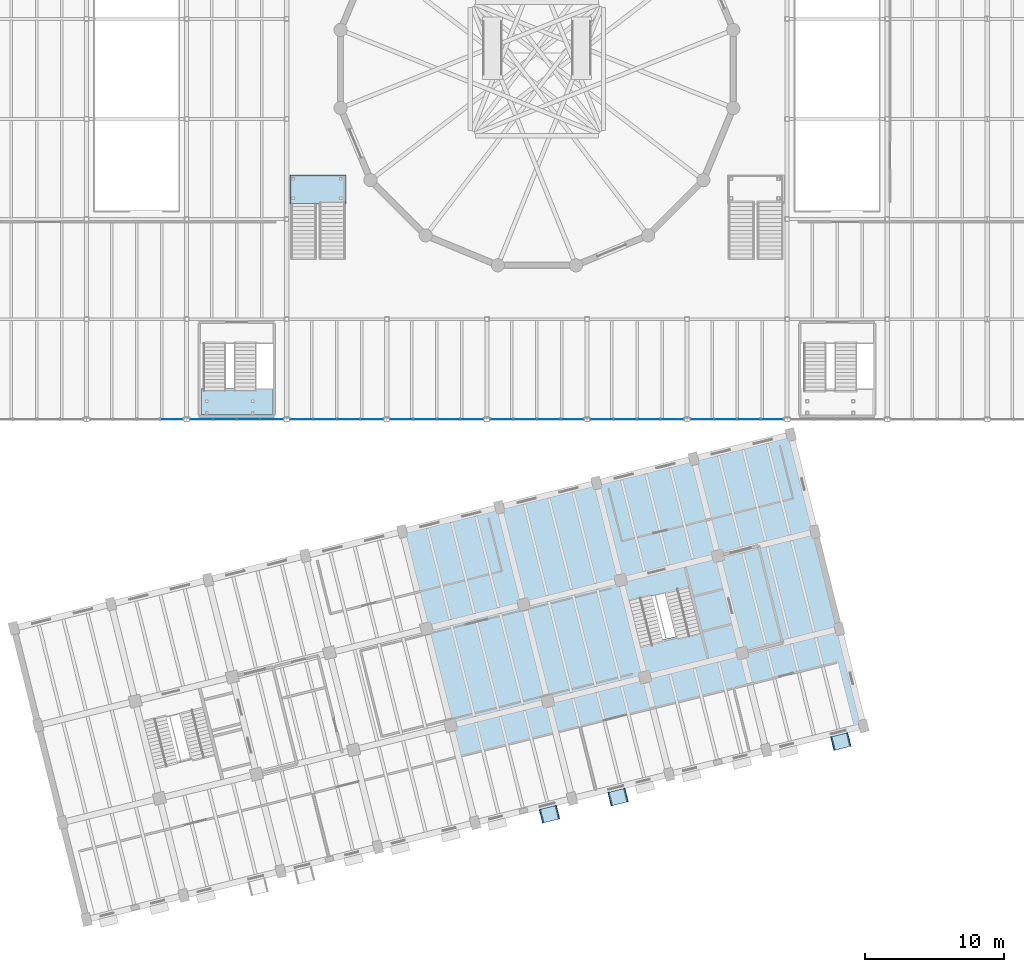
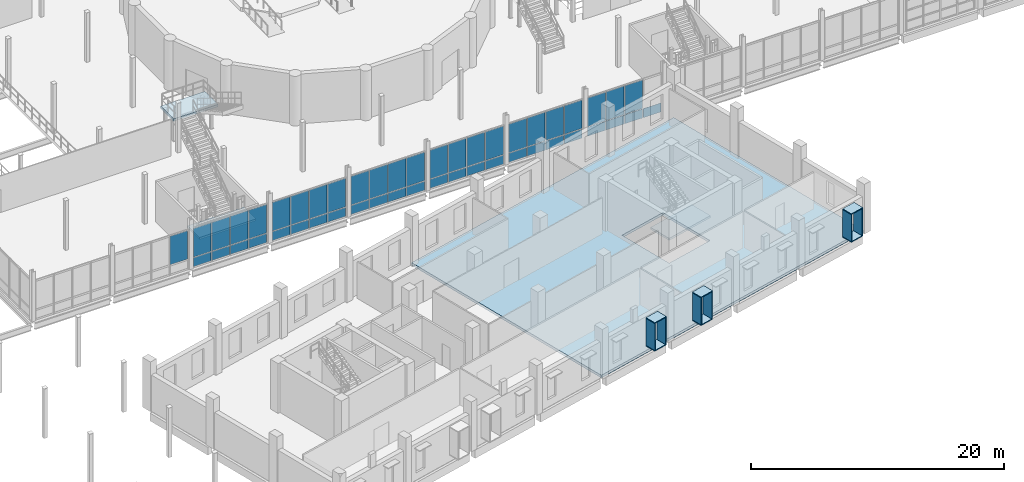
# One storey, part 49 of 77: 60 plates, 4 slabs, 10 elements without a shape of their own.
"""IFC4 building model written with IfcOpenShell, lengths in metres."""

import ifcopenshell
import ifcopenshell.guid

model = None  # the IFC model being written
_history = None  # IfcOwnerHistory: only IFC2X3 demands one
_inside = {}  # id of a spatial element -> (the spatial element, [elements in it])
_under = {}  # id of a project, library or spatial element -> (it, [spatial elements below it])
_declared = {}  # id of a project -> (the project, [libraries it declares])
_typed = {}  # id of a type object -> (the type object, [elements of that type])
_made_of = {}  # id of a material, layer set ... -> (it, [elements and type objects made of it])


def new_model(schema):
    """Start an empty IFC model of exactly this schema.

    Asked for "IFC4X3", IfcOpenShell would pick the latest addendum, in which some entities
    have other attributes; the version numbers below select the first issue.
    IFC2X3 requires an IfcOwnerHistory on every rooted entity: one is made here for all.
    """
    global model, _history
    if schema == "IFC4X3":
        model = ifcopenshell.file(schema_version=(4, 3, 0, 0))
    else:
        model = ifcopenshell.file(schema=schema)
    _inside.clear()
    _under.clear()
    _declared.clear()
    _typed.clear()
    _made_of.clear()
    _history = None
    if model.schema == "IFC2X3":
        org = make("IfcOrganization", Name="unknown")
        user = make(
            "IfcPersonAndOrganization",
            ThePerson=make("IfcPerson", FamilyName="unknown"),
            TheOrganization=org,
        )
        app = make(
            "IfcApplication",
            ApplicationDeveloper=org,
            Version="unknown",
            ApplicationFullName="unknown",
            ApplicationIdentifier="unknown",
        )
        _history = make(
            "IfcOwnerHistory",
            OwningUser=user,
            OwningApplication=app,
            ChangeAction="ADDED",
            CreationDate=0,
        )
    return model


def make(cls, **values):
    """One entity of the class cls with the attributes given. An attribute that is None is left unset."""
    return model.create_entity(
        cls, **{name: value for name, value in values.items() if value is not None}
    )


def rooted(cls, **values):
    """An entity with a GlobalId (a new one), such as an element, a storey or a relation."""
    return make(cls, GlobalId=ifcopenshell.guid.new(), OwnerHistory=_history, **values)


def si_unit(unit_type, name, prefix=None):
    """IfcSIUnit, for example si_unit("LENGTHUNIT", "METRE", prefix="MILLI")."""
    return make("IfcSIUnit", UnitType=unit_type, Prefix=prefix, Name=name)


def assignment(units):
    """IfcUnitAssignment: the units of a project."""
    return None if units is None else make("IfcUnitAssignment", Units=units)


def point(xyz):
    """IfcCartesianPoint."""
    return None if xyz is None else make("IfcCartesianPoint", Coordinates=xyz)


def direction(xyz):
    """IfcDirection."""
    return None if xyz is None else make("IfcDirection", DirectionRatios=xyz)


def frame(location, z_axis=None, x_axis=None):
    """IfcAxis2Placement3D, a coordinate frame: its origin and axes. An axis left out is left unset."""
    return make(
        "IfcAxis2Placement3D",
        Location=point(location),
        Axis=direction(z_axis),
        RefDirection=direction(x_axis),
    )


def frame_2d(location, x_axis=None):
    """IfcAxis2Placement2D, a coordinate frame in the plane: its origin and x axis."""
    return make(
        "IfcAxis2Placement2D", Location=point(location), RefDirection=direction(x_axis)
    )


def origin():
    """The frame at (0, 0, 0) with its axes left unset."""
    return frame((0.0, 0.0, 0.0))


def origin_2d():
    """The frame at (0, 0) in the plane with its x axis left unset."""
    return frame_2d((0.0, 0.0))


def place(relative_to, where):
    """IfcLocalPlacement: puts the frame where relative to a parent placement (None: the world)."""
    return make(
        "IfcLocalPlacement", PlacementRelTo=relative_to, RelativePlacement=where
    )


def context(
    kind, dimensions, precision=None, world=None, true_north=None, identifier=None
):
    """IfcGeometricRepresentationContext, for example the 3D "Model" context."""
    return make(
        "IfcGeometricRepresentationContext",
        ContextIdentifier=identifier,
        ContextType=kind,
        CoordinateSpaceDimension=dimensions,
        Precision=precision,
        WorldCoordinateSystem=world,
        TrueNorth=true_north,
    )


def subcontext(parent, identifier, kind, view, scale=None):
    """IfcGeometricRepresentationSubContext, for example "Body" below "Model"."""
    return make(
        "IfcGeometricRepresentationSubContext",
        ContextIdentifier=identifier,
        ContextType=kind,
        ParentContext=parent,
        TargetScale=scale,
        TargetView=view,
    )


def project(units=None, contexts=None):
    """IfcProject with its units and contexts."""
    return rooted(
        "IfcProject",
        Name="project",
        RepresentationContexts=contexts,
        UnitsInContext=assignment(units),
    )


def spatial(cls, under=None, at=None, **own):
    """A site, building, storey or space (cls), placed at a placement, below another one or the project."""
    s = rooted(cls, ObjectPlacement=at, **own)
    if under is not None:
        _under.setdefault(under.id(), (under, []))[1].append(s)
    return s


def polyline(points):
    """IfcPolyline through the points."""
    return make("IfcPolyline", Points=[point(p) for p in points])


def profile(cls, at=None, kind="AREA", **sizes):
    """A parametric profile (cls). Its sizes go by their IFC names, for example OverallWidth=200.0."""
    return make(cls, ProfileType=kind, Position=at, **sizes)


def rectangle(**sizes):
    """IfcRectangleProfileDef."""
    return profile("IfcRectangleProfileDef", **sizes)


def outline(outer, holes=None, kind="AREA"):
    """IfcArbitraryClosedProfileDef: a profile drawn as a closed curve; with holes, ...WithVoids."""
    if holes is None:
        return make("IfcArbitraryClosedProfileDef", ProfileType=kind, OuterCurve=outer)
    return make(
        "IfcArbitraryProfileDefWithVoids",
        ProfileType=kind,
        OuterCurve=outer,
        InnerCurves=holes,
    )


def extrude(swept, where, along, depth):
    """IfcExtrudedAreaSolid: the profile swept, set in the frame where, extruded along a direction by depth."""
    return make(
        "IfcExtrudedAreaSolid",
        SweptArea=swept,
        Position=where,
        ExtrudedDirection=direction(along),
        Depth=depth,
    )


def shape(context_of_items, identifier, shape_type, items):
    """IfcShapeRepresentation: the items that make up one representation, for example the "Body"."""
    return make(
        "IfcShapeRepresentation",
        ContextOfItems=context_of_items,
        RepresentationIdentifier=identifier,
        RepresentationType=shape_type,
        Items=items,
    )


def material(Name=None, Category=None):
    """IfcMaterial."""
    return make("IfcMaterial", Name=Name, Category=Category)


def layer(
    of_material, thickness, ventilated=None, Name=None, Category=None, Priority=None
):
    """IfcMaterialLayer: one layer of a wall or slab, of a material (None: an air gap)."""
    return make(
        "IfcMaterialLayer",
        Material=of_material,
        LayerThickness=thickness,
        IsVentilated=ventilated,
        Name=Name,
        Category=Category,
        Priority=Priority,
    )


def layer_set(layers, Name=None):
    """IfcMaterialLayerSet."""
    return make("IfcMaterialLayerSet", MaterialLayers=layers, LayerSetName=Name)


def made_of(thing, what):
    """Note that an element or type object is made of a material, layer set ...; save() writes the relation."""
    if what is not None:
        _made_of.setdefault(what.id(), (what, []))[1].append(thing)
    return thing


def type_object(cls, material=None, **own):
    """A type object (cls), such as IfcWallType, which elements share."""
    return made_of(rooted(cls, **own), material)


def element(
    cls,
    number,
    at=None,
    inside=None,
    cuts=None,
    type_object=None,
    material=None,
    context=None,
    identifier="Body",
    shape_type=None,
    held_by="IfcProductDefinitionShape",
    body=None,
    shapes=None,
    **own,
):
    """One element of the class cls, such as IfcWall. Its Tag is "e" and its number.

    at: its placement. inside: the storey or other place that contains it. cuts: it is an
    opening in that element (IfcRelVoidsElement). A single representation is given by context,
    identifier, shape_type and body (its items); several are given by shapes. held_by: the class
    of the entity that holds the representations. save() writes the other relations.
    """
    e = rooted(cls, Tag="e%d" % number, ObjectPlacement=at, **own)
    if body is not None:
        shapes = [shape(context, identifier, shape_type, body)]
    if shapes is not None:
        e.Representation = make(held_by, Representations=shapes)
    if inside is not None:
        _inside.setdefault(inside.id(), (inside, []))[1].append(e)
    if cuts is not None:
        rooted(
            "IfcRelVoidsElement", RelatingBuildingElement=cuts, RelatedOpeningElement=e
        )
    if type_object is not None:
        _typed.setdefault(type_object.id(), (type_object, []))[1].append(e)
    return made_of(e, material)


def aggregate(whole, parts):
    """IfcRelAggregates: a whole, such as a stair, and the parts it consists of."""
    return rooted("IfcRelAggregates", RelatingObject=whole, RelatedObjects=parts)


def save(model, path):
    """Write the relations noted so far, then the file.

    IfcRelAggregates (storeys below a building ...), IfcRelContainedInSpatialStructure (elements
    in a storey), IfcRelDefinesByType, IfcRelAssociatesMaterial and IfcRelDeclares: one each for
    every whole, place, type object, material and project.
    """
    for whole, parts in _under.values():
        aggregate(whole, parts)
    for where, things in _inside.values():
        rooted(
            "IfcRelContainedInSpatialStructure",
            RelatedElements=things,
            RelatingStructure=where,
        )
    for kind, things in _typed.values():
        rooted("IfcRelDefinesByType", RelatedObjects=things, RelatingType=kind)
    for what, things in _made_of.values():
        rooted("IfcRelAssociatesMaterial", RelatedObjects=things, RelatingMaterial=what)
    for by, libraries in _declared.values():
        rooted("IfcRelDeclares", RelatingContext=by, RelatedDefinitions=libraries)
    model.write(path)


model = new_model("IFC4")

# Units and contexts
model_context = context("Model", 3, precision=1e-05, world=origin(), true_north=direction((0.0, 1.0)))
body_context = subcontext(model_context, "Body", "Model", "MODEL_VIEW")
ifc_project = project(units=[si_unit("LENGTHUNIT", "METRE"), si_unit("AREAUNIT", "SQUARE_METRE"), si_unit("VOLUMEUNIT", "CUBIC_METRE"), si_unit("PLANEANGLEUNIT", "RADIAN"), si_unit("MASSUNIT", "GRAM", prefix="KILO")], contexts=[model_context])

# Site, building, storey
site_placement = place(None, origin())
site = spatial("IfcSite", under=ifc_project, at=site_placement, CompositionType="ELEMENT")
building_placement = place(site_placement, origin())
building = spatial("IfcBuilding", under=site, at=building_placement, Name="Qiaolan Assembly House", CompositionType="ELEMENT")
storey_placement = place(building_placement, frame((0.0, 0.0, 5.39990234375)))
storey = spatial("IfcBuildingStorey", under=building, at=storey_placement, Name="L01", CompositionType="ELEMENT", Elevation=5.39990234375)

# Curtain wall, plate
ifc_material_1 = material(Name="Anodised bronze aluminium", Category="aluminium")
curtain_wall_type = type_object("IfcCurtainWallType", Name="CW-HALL-UPPER-480", PredefinedType="NOTDEFINED", material=ifc_material_1)
curtain_wall_1_placement = place(storey_placement, origin())
curtain_wall_1 = element("IfcCurtainWall", 1, at=curtain_wall_1_placement, inside=storey, type_object=curtain_wall_type, Name="CW-01 Hall South plaza curtain wall L01-2", PredefinedType="NOTDEFINED")
ifc_material_2 = material(Name="Low-E double insulating glass", Category="glass")
ifc_layer_1 = layer(ifc_material_2, 0.031982421875)
ifc_layer_set_1 = layer_set([ifc_layer_1], Name="Low-E double insulating glass")
plate_type_1 = type_object("IfcPlateType", Name="CW-HALL-UPPER-480-PNL", PredefinedType="CURTAIN_PANEL", material=ifc_layer_set_1)
plate_1_placement = place(storey_placement, frame((41.324951171875, 36.0, 0.97998046875), z_axis=(0.0, 0.0, 1.0), x_axis=(1.0, 0.0, 0.0)))
plate_1 = element("IfcPlate", 2, at=plate_1_placement, type_object=plate_type_1, Name="GL-02 glazing panel CW-HALL-S-L01-01-8", PredefinedType="CURTAIN_PANEL", context=body_context, shape_type="SweptSolid", body=[
    extrude(rectangle(XDim=1.6201171875, YDim=0.031982421875, at=frame_2d((0.81005859375, 0.0))), origin(), (0.0, 0.0, 1.0), 2.760009765625),
])
aggregate(curtain_wall_1, [plate_1])

# Curtain wall, plates
curtain_wall_2_placement = place(storey_placement, origin())
curtain_wall_2 = element("IfcCurtainWall", 3, at=curtain_wall_2_placement, inside=storey, type_object=curtain_wall_type, Name="CW-01 Hall South plaza curtain wall L01-3", PredefinedType="NOTDEFINED")
plate_2_placement = place(storey_placement, frame((43.455078125, 36.0, 0.06005859375), z_axis=(0.0, 0.0, 1.0), x_axis=(1.0, 0.0, 0.0)))
plate_2 = element("IfcPlate", 4, at=plate_2_placement, type_object=plate_type_1, Name="GL-02 glazing panel CW-HALL-S-L01-02-1", PredefinedType="CURTAIN_PANEL", context=body_context, shape_type="SweptSolid", body=[
    extrude(rectangle(XDim=1.619873046875, YDim=0.031982421875, at=frame_2d((0.81005859375, 0.0))), origin(), (0.0, 0.0, 1.0), 0.860107421875),
])
plate_3_placement = place(storey_placement, frame((43.455078125, 36.0, 0.97998046875), z_axis=(0.0, 0.0, 1.0), x_axis=(1.0, 0.0, 0.0)))
plate_3 = element("IfcPlate", 5, at=plate_3_placement, type_object=plate_type_1, Name="GL-02 glazing panel CW-HALL-S-L01-02-2", PredefinedType="CURTAIN_PANEL", context=body_context, shape_type="SweptSolid", body=[
    extrude(rectangle(XDim=1.619873046875, YDim=0.031982421875, at=frame_2d((0.81005859375, 0.0))), origin(), (0.0, 0.0, 1.0), 2.760009765625),
])
plate_4_placement = place(storey_placement, frame((45.14501953125, 36.0, 0.06005859375), z_axis=(0.0, 0.0, 1.0), x_axis=(1.0, 0.0, 0.0)))
plate_4 = element("IfcPlate", 6, at=plate_4_placement, type_object=plate_type_1, Name="GL-02 glazing panel CW-HALL-S-L01-02-3", PredefinedType="CURTAIN_PANEL", context=body_context, shape_type="SweptSolid", body=[
    extrude(rectangle(XDim=1.619873046875, YDim=0.031982421875, at=frame_2d((0.81005859375, 0.0))), origin(), (0.0, 0.0, 1.0), 0.860107421875),
])
plate_5_placement = place(storey_placement, frame((45.14501953125, 36.0, 0.97998046875), z_axis=(0.0, 0.0, 1.0), x_axis=(1.0, 0.0, 0.0)))
plate_5 = element("IfcPlate", 7, at=plate_5_placement, type_object=plate_type_1, Name="GL-02 glazing panel CW-HALL-S-L01-02-4", PredefinedType="CURTAIN_PANEL", context=body_context, shape_type="SweptSolid", body=[
    extrude(rectangle(XDim=1.619873046875, YDim=0.031982421875, at=frame_2d((0.81005859375, 0.0))), origin(), (0.0, 0.0, 1.0), 2.760009765625),
])
plate_6_placement = place(storey_placement, frame((46.8349609375, 36.0, 0.06005859375), z_axis=(0.0, 0.0, 1.0), x_axis=(1.0, 0.0, 0.0)))
plate_6 = element("IfcPlate", 8, at=plate_6_placement, type_object=plate_type_1, Name="GL-02 glazing panel CW-HALL-S-L01-02-5", PredefinedType="CURTAIN_PANEL", context=body_context, shape_type="SweptSolid", body=[
    extrude(rectangle(XDim=1.6201171875, YDim=0.031982421875, at=frame_2d((0.81005859375, 0.0))), origin(), (0.0, 0.0, 1.0), 0.860107421875),
])
plate_7_placement = place(storey_placement, frame((46.8349609375, 36.0, 0.97998046875), z_axis=(0.0, 0.0, 1.0), x_axis=(1.0, 0.0, 0.0)))
plate_7 = element("IfcPlate", 9, at=plate_7_placement, type_object=plate_type_1, Name="GL-02 glazing panel CW-HALL-S-L01-02-6", PredefinedType="CURTAIN_PANEL", context=body_context, shape_type="SweptSolid", body=[
    extrude(rectangle(XDim=1.6201171875, YDim=0.031982421875, at=frame_2d((0.81005859375, 0.0))), origin(), (0.0, 0.0, 1.0), 2.760009765625),
])
plate_8_placement = place(storey_placement, frame((48.52490234375, 36.0, 0.06005859375), z_axis=(0.0, 0.0, 1.0), x_axis=(1.0, 0.0, 0.0)))
plate_8 = element("IfcPlate", 10, at=plate_8_placement, type_object=plate_type_1, Name="GL-02 glazing panel CW-HALL-S-L01-02-7", PredefinedType="CURTAIN_PANEL", context=body_context, shape_type="SweptSolid", body=[
    extrude(rectangle(XDim=1.6201171875, YDim=0.031982421875, at=frame_2d((0.81005859375, 0.0))), origin(), (0.0, 0.0, 1.0), 0.860107421875),
])
plate_9_placement = place(storey_placement, frame((48.52490234375, 36.0, 0.97998046875), z_axis=(0.0, 0.0, 1.0), x_axis=(1.0, 0.0, 0.0)))
plate_9 = element("IfcPlate", 11, at=plate_9_placement, type_object=plate_type_1, Name="GL-02 glazing panel CW-HALL-S-L01-02-8", PredefinedType="CURTAIN_PANEL", context=body_context, shape_type="SweptSolid", body=[
    extrude(rectangle(XDim=1.6201171875, YDim=0.031982421875, at=frame_2d((0.81005859375, 0.0))), origin(), (0.0, 0.0, 1.0), 2.760009765625),
])
aggregate(curtain_wall_2, [plate_2, plate_3, plate_4, plate_5, plate_6, plate_7, plate_8, plate_9])

curtain_wall_3_placement = place(storey_placement, origin())
curtain_wall_3 = element("IfcCurtainWall", 12, at=curtain_wall_3_placement, inside=storey, type_object=curtain_wall_type, Name="CW-01 Hall South plaza curtain wall L01-4", PredefinedType="NOTDEFINED")
plate_10_placement = place(storey_placement, frame((50.655029296875, 36.0, 0.06005859375), z_axis=(0.0, 0.0, 1.0), x_axis=(1.0, 0.0, 0.0)))
plate_10 = element("IfcPlate", 13, at=plate_10_placement, type_object=plate_type_1, Name="GL-02 glazing panel CW-HALL-S-L01-03-1", PredefinedType="CURTAIN_PANEL", context=body_context, shape_type="SweptSolid", body=[
    extrude(rectangle(XDim=1.619873046875, YDim=0.031982421875, at=frame_2d((0.81005859375, 0.0))), origin(), (0.0, 0.0, 1.0), 0.860107421875),
])
plate_11_placement = place(storey_placement, frame((50.655029296875, 36.0, 0.97998046875), z_axis=(0.0, 0.0, 1.0), x_axis=(1.0, 0.0, 0.0)))
plate_11 = element("IfcPlate", 14, at=plate_11_placement, type_object=plate_type_1, Name="GL-02 glazing panel CW-HALL-S-L01-03-2", PredefinedType="CURTAIN_PANEL", context=body_context, shape_type="SweptSolid", body=[
    extrude(rectangle(XDim=1.619873046875, YDim=0.031982421875, at=frame_2d((0.81005859375, 0.0))), origin(), (0.0, 0.0, 1.0), 2.760009765625),
])
plate_12_placement = place(storey_placement, frame((52.344970703125, 36.0, 0.06005859375), z_axis=(0.0, 0.0, 1.0), x_axis=(1.0, 0.0, 0.0)))
plate_12 = element("IfcPlate", 15, at=plate_12_placement, type_object=plate_type_1, Name="GL-02 glazing panel CW-HALL-S-L01-03-3", PredefinedType="CURTAIN_PANEL", context=body_context, shape_type="SweptSolid", body=[
    extrude(rectangle(XDim=1.6201171875, YDim=0.031982421875, at=frame_2d((0.81005859375, 0.0))), origin(), (0.0, 0.0, 1.0), 0.860107421875),
])
plate_13_placement = place(storey_placement, frame((52.344970703125, 36.0, 0.97998046875), z_axis=(0.0, 0.0, 1.0), x_axis=(1.0, 0.0, 0.0)))
plate_13 = element("IfcPlate", 16, at=plate_13_placement, type_object=plate_type_1, Name="GL-02 glazing panel CW-HALL-S-L01-03-4", PredefinedType="CURTAIN_PANEL", context=body_context, shape_type="SweptSolid", body=[
    extrude(rectangle(XDim=1.6201171875, YDim=0.031982421875, at=frame_2d((0.81005859375, 0.0))), origin(), (0.0, 0.0, 1.0), 2.760009765625),
])
plate_14_placement = place(storey_placement, frame((54.034912109375, 36.0, 0.06005859375), z_axis=(0.0, 0.0, 1.0), x_axis=(1.0, 0.0, 0.0)))
plate_14 = element("IfcPlate", 17, at=plate_14_placement, type_object=plate_type_1, Name="GL-02 glazing panel CW-HALL-S-L01-03-5", PredefinedType="CURTAIN_PANEL", context=body_context, shape_type="SweptSolid", body=[
    extrude(rectangle(XDim=1.6201171875, YDim=0.031982421875, at=frame_2d((0.81005859375, 0.0))), origin(), (0.0, 0.0, 1.0), 0.860107421875),
])
plate_15_placement = place(storey_placement, frame((54.034912109375, 36.0, 0.97998046875), z_axis=(0.0, 0.0, 1.0), x_axis=(1.0, 0.0, 0.0)))
plate_15 = element("IfcPlate", 18, at=plate_15_placement, type_object=plate_type_1, Name="GL-02 glazing panel CW-HALL-S-L01-03-6", PredefinedType="CURTAIN_PANEL", context=body_context, shape_type="SweptSolid", body=[
    extrude(rectangle(XDim=1.6201171875, YDim=0.031982421875, at=frame_2d((0.81005859375, 0.0))), origin(), (0.0, 0.0, 1.0), 2.760009765625),
])
plate_16_placement = place(storey_placement, frame((55.72509765625, 36.0, 0.06005859375), z_axis=(0.0, 0.0, 1.0), x_axis=(1.0, 0.0, 0.0)))
plate_16 = element("IfcPlate", 19, at=plate_16_placement, type_object=plate_type_1, Name="GL-02 glazing panel CW-HALL-S-L01-03-7", PredefinedType="CURTAIN_PANEL", context=body_context, shape_type="SweptSolid", body=[
    extrude(rectangle(XDim=1.619873046875, YDim=0.031982421875, at=frame_2d((0.81005859375, 0.0))), origin(), (0.0, 0.0, 1.0), 0.860107421875),
])
plate_17_placement = place(storey_placement, frame((55.72509765625, 36.0, 0.97998046875), z_axis=(0.0, 0.0, 1.0), x_axis=(1.0, 0.0, 0.0)))
plate_17 = element("IfcPlate", 20, at=plate_17_placement, type_object=plate_type_1, Name="GL-02 glazing panel CW-HALL-S-L01-03-8", PredefinedType="CURTAIN_PANEL", context=body_context, shape_type="SweptSolid", body=[
    extrude(rectangle(XDim=1.619873046875, YDim=0.031982421875, at=frame_2d((0.81005859375, 0.0))), origin(), (0.0, 0.0, 1.0), 2.760009765625),
])
aggregate(curtain_wall_3, [plate_10, plate_11, plate_12, plate_13, plate_14, plate_15, plate_16, plate_17])

curtain_wall_4_placement = place(storey_placement, origin())
curtain_wall_4 = element("IfcCurtainWall", 21, at=curtain_wall_4_placement, inside=storey, type_object=curtain_wall_type, Name="CW-01 Hall South plaza curtain wall L01-5", PredefinedType="NOTDEFINED")
plate_18_placement = place(storey_placement, frame((57.85498046875, 36.0, 0.06005859375), z_axis=(0.0, 0.0, 1.0), x_axis=(1.0, 0.0, 0.0)))
plate_18 = element("IfcPlate", 22, at=plate_18_placement, type_object=plate_type_1, Name="GL-02 glazing panel CW-HALL-S-L01-04-1", PredefinedType="CURTAIN_PANEL", context=body_context, shape_type="SweptSolid", body=[
    extrude(rectangle(XDim=1.6201171875, YDim=0.031982421875, at=frame_2d((0.81005859375, 0.0))), origin(), (0.0, 0.0, 1.0), 0.860107421875),
])
plate_19_placement = place(storey_placement, frame((57.85498046875, 36.0, 0.97998046875), z_axis=(0.0, 0.0, 1.0), x_axis=(1.0, 0.0, 0.0)))
plate_19 = element("IfcPlate", 23, at=plate_19_placement, type_object=plate_type_1, Name="GL-02 glazing panel CW-HALL-S-L01-04-2", PredefinedType="CURTAIN_PANEL", context=body_context, shape_type="SweptSolid", body=[
    extrude(rectangle(XDim=1.6201171875, YDim=0.031982421875, at=frame_2d((0.81005859375, 0.0))), origin(), (0.0, 0.0, 1.0), 2.760009765625),
])
plate_20_placement = place(storey_placement, frame((59.544921875, 36.0, 0.06005859375), z_axis=(0.0, 0.0, 1.0), x_axis=(1.0, 0.0, 0.0)))
plate_20 = element("IfcPlate", 24, at=plate_20_placement, type_object=plate_type_1, Name="GL-02 glazing panel CW-HALL-S-L01-04-3", PredefinedType="CURTAIN_PANEL", context=body_context, shape_type="SweptSolid", body=[
    extrude(rectangle(XDim=1.6201171875, YDim=0.031982421875, at=frame_2d((0.81005859375, 0.0))), origin(), (0.0, 0.0, 1.0), 0.860107421875),
])
plate_21_placement = place(storey_placement, frame((59.544921875, 36.0, 0.97998046875), z_axis=(0.0, 0.0, 1.0), x_axis=(1.0, 0.0, 0.0)))
plate_21 = element("IfcPlate", 25, at=plate_21_placement, type_object=plate_type_1, Name="GL-02 glazing panel CW-HALL-S-L01-04-4", PredefinedType="CURTAIN_PANEL", context=body_context, shape_type="SweptSolid", body=[
    extrude(rectangle(XDim=1.6201171875, YDim=0.031982421875, at=frame_2d((0.81005859375, 0.0))), origin(), (0.0, 0.0, 1.0), 2.760009765625),
])
plate_22_placement = place(storey_placement, frame((61.235107421875, 36.0, 0.06005859375), z_axis=(0.0, 0.0, 1.0), x_axis=(1.0, 0.0, 0.0)))
plate_22 = element("IfcPlate", 26, at=plate_22_placement, type_object=plate_type_1, Name="GL-02 glazing panel CW-HALL-S-L01-04-5", PredefinedType="CURTAIN_PANEL", context=body_context, shape_type="SweptSolid", body=[
    extrude(rectangle(XDim=1.619873046875, YDim=0.031982421875, at=frame_2d((0.81005859375, 0.0))), origin(), (0.0, 0.0, 1.0), 0.860107421875),
])
plate_23_placement = place(storey_placement, frame((61.235107421875, 36.0, 0.97998046875), z_axis=(0.0, 0.0, 1.0), x_axis=(1.0, 0.0, 0.0)))
plate_23 = element("IfcPlate", 27, at=plate_23_placement, type_object=plate_type_1, Name="GL-02 glazing panel CW-HALL-S-L01-04-6", PredefinedType="CURTAIN_PANEL", context=body_context, shape_type="SweptSolid", body=[
    extrude(rectangle(XDim=1.619873046875, YDim=0.031982421875, at=frame_2d((0.81005859375, 0.0))), origin(), (0.0, 0.0, 1.0), 2.760009765625),
])
plate_24_placement = place(storey_placement, frame((62.925048828125, 36.0, 0.06005859375), z_axis=(0.0, 0.0, 1.0), x_axis=(1.0, 0.0, 0.0)))
plate_24 = element("IfcPlate", 28, at=plate_24_placement, type_object=plate_type_1, Name="GL-02 glazing panel CW-HALL-S-L01-04-7", PredefinedType="CURTAIN_PANEL", context=body_context, shape_type="SweptSolid", body=[
    extrude(rectangle(XDim=1.619873046875, YDim=0.031982421875, at=frame_2d((0.81005859375, 0.0))), origin(), (0.0, 0.0, 1.0), 0.860107421875),
])
plate_25_placement = place(storey_placement, frame((62.925048828125, 36.0, 0.97998046875), z_axis=(0.0, 0.0, 1.0), x_axis=(1.0, 0.0, 0.0)))
plate_25 = element("IfcPlate", 29, at=plate_25_placement, type_object=plate_type_1, Name="GL-02 glazing panel CW-HALL-S-L01-04-8", PredefinedType="CURTAIN_PANEL", context=body_context, shape_type="SweptSolid", body=[
    extrude(rectangle(XDim=1.619873046875, YDim=0.031982421875, at=frame_2d((0.81005859375, 0.0))), origin(), (0.0, 0.0, 1.0), 2.760009765625),
])
aggregate(curtain_wall_4, [plate_18, plate_19, plate_20, plate_21, plate_22, plate_23, plate_24, plate_25])

curtain_wall_5_placement = place(storey_placement, origin())
curtain_wall_5 = element("IfcCurtainWall", 30, at=curtain_wall_5_placement, inside=storey, type_object=curtain_wall_type, Name="CW-01 Hall South plaza curtain wall L01-6", PredefinedType="NOTDEFINED")
plate_26_placement = place(storey_placement, frame((65.054931640625, 36.0, 0.06005859375), z_axis=(0.0, 0.0, 1.0), x_axis=(1.0, 0.0, 0.0)))
plate_26 = element("IfcPlate", 31, at=plate_26_placement, type_object=plate_type_1, Name="GL-02 glazing panel CW-HALL-S-L01-05-1", PredefinedType="CURTAIN_PANEL", context=body_context, shape_type="SweptSolid", body=[
    extrude(rectangle(XDim=1.6201171875, YDim=0.031982421875, at=frame_2d((0.81005859375, 0.0))), origin(), (0.0, 0.0, 1.0), 0.860107421875),
])
plate_27_placement = place(storey_placement, frame((65.054931640625, 36.0, 0.97998046875), z_axis=(0.0, 0.0, 1.0), x_axis=(1.0, 0.0, 0.0)))
plate_27 = element("IfcPlate", 32, at=plate_27_placement, type_object=plate_type_1, Name="GL-02 glazing panel CW-HALL-S-L01-05-2", PredefinedType="CURTAIN_PANEL", context=body_context, shape_type="SweptSolid", body=[
    extrude(rectangle(XDim=1.6201171875, YDim=0.031982421875, at=frame_2d((0.81005859375, 0.0))), origin(), (0.0, 0.0, 1.0), 2.760009765625),
])
plate_28_placement = place(storey_placement, frame((66.7451171875, 36.0, 0.06005859375), z_axis=(0.0, 0.0, 1.0), x_axis=(1.0, 0.0, 0.0)))
plate_28 = element("IfcPlate", 33, at=plate_28_placement, type_object=plate_type_1, Name="GL-02 glazing panel CW-HALL-S-L01-05-3", PredefinedType="CURTAIN_PANEL", context=body_context, shape_type="SweptSolid", body=[
    extrude(rectangle(XDim=1.619873046875, YDim=0.031982421875, at=frame_2d((0.81005859375, 0.0))), origin(), (0.0, 0.0, 1.0), 0.860107421875),
])
plate_29_placement = place(storey_placement, frame((66.7451171875, 36.0, 0.97998046875), z_axis=(0.0, 0.0, 1.0), x_axis=(1.0, 0.0, 0.0)))
plate_29 = element("IfcPlate", 34, at=plate_29_placement, type_object=plate_type_1, Name="GL-02 glazing panel CW-HALL-S-L01-05-4", PredefinedType="CURTAIN_PANEL", context=body_context, shape_type="SweptSolid", body=[
    extrude(rectangle(XDim=1.619873046875, YDim=0.031982421875, at=frame_2d((0.81005859375, 0.0))), origin(), (0.0, 0.0, 1.0), 2.760009765625),
])
plate_30_placement = place(storey_placement, frame((68.43505859375, 36.0, 0.06005859375), z_axis=(0.0, 0.0, 1.0), x_axis=(1.0, 0.0, 0.0)))
plate_30 = element("IfcPlate", 35, at=plate_30_placement, type_object=plate_type_1, Name="GL-02 glazing panel CW-HALL-S-L01-05-5", PredefinedType="CURTAIN_PANEL", context=body_context, shape_type="SweptSolid", body=[
    extrude(rectangle(XDim=1.619873046875, YDim=0.031982421875, at=frame_2d((0.81005859375, 0.0))), origin(), (0.0, 0.0, 1.0), 0.860107421875),
])
plate_31_placement = place(storey_placement, frame((68.43505859375, 36.0, 0.97998046875), z_axis=(0.0, 0.0, 1.0), x_axis=(1.0, 0.0, 0.0)))
plate_31 = element("IfcPlate", 36, at=plate_31_placement, type_object=plate_type_1, Name="GL-02 glazing panel CW-HALL-S-L01-05-6", PredefinedType="CURTAIN_PANEL", context=body_context, shape_type="SweptSolid", body=[
    extrude(rectangle(XDim=1.619873046875, YDim=0.031982421875, at=frame_2d((0.81005859375, 0.0))), origin(), (0.0, 0.0, 1.0), 2.760009765625),
])
plate_32_placement = place(storey_placement, frame((70.125, 36.0, 0.06005859375), z_axis=(0.0, 0.0, 1.0), x_axis=(1.0, 0.0, 0.0)))
plate_32 = element("IfcPlate", 37, at=plate_32_placement, type_object=plate_type_1, Name="GL-02 glazing panel CW-HALL-S-L01-05-7", PredefinedType="CURTAIN_PANEL", context=body_context, shape_type="SweptSolid", body=[
    extrude(rectangle(XDim=1.6201171875, YDim=0.031982421875, at=frame_2d((0.81005859375, 0.0))), origin(), (0.0, 0.0, 1.0), 0.860107421875),
])
plate_33_placement = place(storey_placement, frame((70.125, 36.0, 0.97998046875), z_axis=(0.0, 0.0, 1.0), x_axis=(1.0, 0.0, 0.0)))
plate_33 = element("IfcPlate", 38, at=plate_33_placement, type_object=plate_type_1, Name="GL-02 glazing panel CW-HALL-S-L01-05-8", PredefinedType="CURTAIN_PANEL", context=body_context, shape_type="SweptSolid", body=[
    extrude(rectangle(XDim=1.6201171875, YDim=0.031982421875, at=frame_2d((0.81005859375, 0.0))), origin(), (0.0, 0.0, 1.0), 2.760009765625),
])
aggregate(curtain_wall_5, [plate_26, plate_27, plate_28, plate_29, plate_30, plate_31, plate_32, plate_33])

curtain_wall_6_placement = place(storey_placement, origin())
curtain_wall_6 = element("IfcCurtainWall", 39, at=curtain_wall_6_placement, inside=storey, type_object=curtain_wall_type, Name="CW-01 Hall South plaza curtain wall L01-7", PredefinedType="NOTDEFINED")
plate_34_placement = place(storey_placement, frame((72.2548828125, 36.0, 0.06005859375), z_axis=(0.0, 0.0, 1.0), x_axis=(1.0, 0.0, 0.0)))
plate_34 = element("IfcPlate", 40, at=plate_34_placement, type_object=plate_type_1, Name="GL-02 glazing panel CW-HALL-S-L01-06-1", PredefinedType="CURTAIN_PANEL", context=body_context, shape_type="SweptSolid", body=[
    extrude(rectangle(XDim=1.6201171875, YDim=0.031982421875, at=frame_2d((0.81005859375, 0.0))), origin(), (0.0, 0.0, 1.0), 0.860107421875),
])
plate_35_placement = place(storey_placement, frame((72.2548828125, 36.0, 0.97998046875), z_axis=(0.0, 0.0, 1.0), x_axis=(1.0, 0.0, 0.0)))
plate_35 = element("IfcPlate", 41, at=plate_35_placement, type_object=plate_type_1, Name="GL-02 glazing panel CW-HALL-S-L01-06-2", PredefinedType="CURTAIN_PANEL", context=body_context, shape_type="SweptSolid", body=[
    extrude(rectangle(XDim=1.6201171875, YDim=0.031982421875, at=frame_2d((0.81005859375, 0.0))), origin(), (0.0, 0.0, 1.0), 2.760009765625),
])
plate_36_placement = place(storey_placement, frame((73.945068359375, 36.0, 0.06005859375), z_axis=(0.0, 0.0, 1.0), x_axis=(1.0, 0.0, 0.0)))
plate_36 = element("IfcPlate", 42, at=plate_36_placement, type_object=plate_type_1, Name="GL-02 glazing panel CW-HALL-S-L01-06-3", PredefinedType="CURTAIN_PANEL", context=body_context, shape_type="SweptSolid", body=[
    extrude(rectangle(XDim=1.619873046875, YDim=0.031982421875, at=frame_2d((0.81005859375, 0.0))), origin(), (0.0, 0.0, 1.0), 0.860107421875),
])
plate_37_placement = place(storey_placement, frame((73.945068359375, 36.0, 0.97998046875), z_axis=(0.0, 0.0, 1.0), x_axis=(1.0, 0.0, 0.0)))
plate_37 = element("IfcPlate", 43, at=plate_37_placement, type_object=plate_type_1, Name="GL-02 glazing panel CW-HALL-S-L01-06-4", PredefinedType="CURTAIN_PANEL", context=body_context, shape_type="SweptSolid", body=[
    extrude(rectangle(XDim=1.619873046875, YDim=0.031982421875, at=frame_2d((0.81005859375, 0.0))), origin(), (0.0, 0.0, 1.0), 2.760009765625),
])
plate_38_placement = place(storey_placement, frame((75.635009765625, 36.0, 0.06005859375), z_axis=(0.0, 0.0, 1.0), x_axis=(1.0, 0.0, 0.0)))
plate_38 = element("IfcPlate", 44, at=plate_38_placement, type_object=plate_type_1, Name="GL-02 glazing panel CW-HALL-S-L01-06-5", PredefinedType="CURTAIN_PANEL", context=body_context, shape_type="SweptSolid", body=[
    extrude(rectangle(XDim=1.619873046875, YDim=0.031982421875, at=frame_2d((0.81005859375, 0.0))), origin(), (0.0, 0.0, 1.0), 0.860107421875),
])
plate_39_placement = place(storey_placement, frame((75.635009765625, 36.0, 0.97998046875), z_axis=(0.0, 0.0, 1.0), x_axis=(1.0, 0.0, 0.0)))
plate_39 = element("IfcPlate", 45, at=plate_39_placement, type_object=plate_type_1, Name="GL-02 glazing panel CW-HALL-S-L01-06-6", PredefinedType="CURTAIN_PANEL", context=body_context, shape_type="SweptSolid", body=[
    extrude(rectangle(XDim=1.619873046875, YDim=0.031982421875, at=frame_2d((0.81005859375, 0.0))), origin(), (0.0, 0.0, 1.0), 2.760009765625),
])
plate_40_placement = place(storey_placement, frame((77.324951171875, 36.0, 0.06005859375), z_axis=(0.0, 0.0, 1.0), x_axis=(1.0, 0.0, 0.0)))
plate_40 = element("IfcPlate", 46, at=plate_40_placement, type_object=plate_type_1, Name="GL-02 glazing panel CW-HALL-S-L01-06-7", PredefinedType="CURTAIN_PANEL", context=body_context, shape_type="SweptSolid", body=[
    extrude(rectangle(XDim=1.6201171875, YDim=0.031982421875, at=frame_2d((0.81005859375, 0.0))), origin(), (0.0, 0.0, 1.0), 0.860107421875),
])
plate_41_placement = place(storey_placement, frame((77.324951171875, 36.0, 0.97998046875), z_axis=(0.0, 0.0, 1.0), x_axis=(1.0, 0.0, 0.0)))
plate_41 = element("IfcPlate", 47, at=plate_41_placement, type_object=plate_type_1, Name="GL-02 glazing panel CW-HALL-S-L01-06-8", PredefinedType="CURTAIN_PANEL", context=body_context, shape_type="SweptSolid", body=[
    extrude(rectangle(XDim=1.6201171875, YDim=0.031982421875, at=frame_2d((0.81005859375, 0.0))), origin(), (0.0, 0.0, 1.0), 2.760009765625),
])
aggregate(curtain_wall_6, [plate_34, plate_35, plate_36, plate_37, plate_38, plate_39, plate_40, plate_41])

curtain_wall_7_placement = place(storey_placement, origin())
curtain_wall_7 = element("IfcCurtainWall", 48, at=curtain_wall_7_placement, inside=storey, type_object=curtain_wall_type, Name="CW-01 Hall South plaza curtain wall L01-8", PredefinedType="NOTDEFINED")
plate_42_placement = place(storey_placement, frame((79.455078125, 36.0, 0.06005859375), z_axis=(0.0, 0.0, 1.0), x_axis=(1.0, 0.0, 0.0)))
plate_42 = element("IfcPlate", 49, at=plate_42_placement, type_object=plate_type_1, Name="GL-02 glazing panel CW-HALL-S-L01-07-1", PredefinedType="CURTAIN_PANEL", context=body_context, shape_type="SweptSolid", body=[
    extrude(rectangle(XDim=1.619873046875, YDim=0.031982421875, at=frame_2d((0.81005859375, 0.0))), origin(), (0.0, 0.0, 1.0), 0.860107421875),
])
plate_43_placement = place(storey_placement, frame((79.455078125, 36.0, 0.97998046875), z_axis=(0.0, 0.0, 1.0), x_axis=(1.0, 0.0, 0.0)))
plate_43 = element("IfcPlate", 50, at=plate_43_placement, type_object=plate_type_1, Name="GL-02 glazing panel CW-HALL-S-L01-07-2", PredefinedType="CURTAIN_PANEL", context=body_context, shape_type="SweptSolid", body=[
    extrude(rectangle(XDim=1.619873046875, YDim=0.031982421875, at=frame_2d((0.81005859375, 0.0))), origin(), (0.0, 0.0, 1.0), 2.760009765625),
])
plate_44_placement = place(storey_placement, frame((81.14501953125, 36.0, 0.06005859375), z_axis=(0.0, 0.0, 1.0), x_axis=(1.0, 0.0, 0.0)))
plate_44 = element("IfcPlate", 51, at=plate_44_placement, type_object=plate_type_1, Name="GL-02 glazing panel CW-HALL-S-L01-07-3", PredefinedType="CURTAIN_PANEL", context=body_context, shape_type="SweptSolid", body=[
    extrude(rectangle(XDim=1.619873046875, YDim=0.031982421875, at=frame_2d((0.81005859375, 0.0))), origin(), (0.0, 0.0, 1.0), 0.860107421875),
])
plate_45_placement = place(storey_placement, frame((81.14501953125, 36.0, 0.97998046875), z_axis=(0.0, 0.0, 1.0), x_axis=(1.0, 0.0, 0.0)))
plate_45 = element("IfcPlate", 52, at=plate_45_placement, type_object=plate_type_1, Name="GL-02 glazing panel CW-HALL-S-L01-07-4", PredefinedType="CURTAIN_PANEL", context=body_context, shape_type="SweptSolid", body=[
    extrude(rectangle(XDim=1.619873046875, YDim=0.031982421875, at=frame_2d((0.81005859375, 0.0))), origin(), (0.0, 0.0, 1.0), 2.760009765625),
])
plate_46_placement = place(storey_placement, frame((82.8349609375, 36.0, 0.06005859375), z_axis=(0.0, 0.0, 1.0), x_axis=(1.0, 0.0, 0.0)))
plate_46 = element("IfcPlate", 53, at=plate_46_placement, type_object=plate_type_1, Name="GL-02 glazing panel CW-HALL-S-L01-07-5", PredefinedType="CURTAIN_PANEL", context=body_context, shape_type="SweptSolid", body=[
    extrude(rectangle(XDim=1.6201171875, YDim=0.031982421875, at=frame_2d((0.81005859375, 0.0))), origin(), (0.0, 0.0, 1.0), 0.860107421875),
])
plate_47_placement = place(storey_placement, frame((82.8349609375, 36.0, 0.97998046875), z_axis=(0.0, 0.0, 1.0), x_axis=(1.0, 0.0, 0.0)))
plate_47 = element("IfcPlate", 54, at=plate_47_placement, type_object=plate_type_1, Name="GL-02 glazing panel CW-HALL-S-L01-07-6", PredefinedType="CURTAIN_PANEL", context=body_context, shape_type="SweptSolid", body=[
    extrude(rectangle(XDim=1.6201171875, YDim=0.031982421875, at=frame_2d((0.81005859375, 0.0))), origin(), (0.0, 0.0, 1.0), 2.760009765625),
])
plate_48_placement = place(storey_placement, frame((84.52490234375, 36.0, 0.06005859375), z_axis=(0.0, 0.0, 1.0), x_axis=(1.0, 0.0, 0.0)))
plate_48 = element("IfcPlate", 55, at=plate_48_placement, type_object=plate_type_1, Name="GL-02 glazing panel CW-HALL-S-L01-07-7", PredefinedType="CURTAIN_PANEL", context=body_context, shape_type="SweptSolid", body=[
    extrude(rectangle(XDim=1.6201171875, YDim=0.031982421875, at=frame_2d((0.81005859375, 0.0))), origin(), (0.0, 0.0, 1.0), 0.860107421875),
])
aggregate(curtain_wall_7, [plate_42, plate_43, plate_44, plate_45, plate_46, plate_47, plate_48])

# Plates
ifc_material_3 = material(Name="Honed pale limestone", Category="masonry")
ifc_layer_2 = layer(ifc_material_3, 0.0849609375)
ifc_layer_set_2 = layer_set([ifc_layer_2], Name="Honed pale limestone")
plate_type_2 = type_object("IfcPlateType", Name="PLT-WINBOX-CHEEK", PredefinedType="SHEET", material=ifc_layer_set_2)
for number, where, z_axis, x_axis, name in (
    (56, (68.7294921875, 7.44140625, 0.699951171875), (0.0, 0.0, 1.0), (0.970295726276, 0.2419218956, 0.0), "WB-02 projecting window-box cheek CL SES-L01-04-2"),
    (57, (69.879150390625, 7.728271484375, 0.699951171875), (0.0, 0.0, 1.0), (0.970295726276, 0.2419218956, 0.0), "WB-02 projecting window-box cheek CR SES-L01-04-2"),
    (58, (73.663330078125, 8.671630859375, 0.699951171875), (0.0, 0.0, 1.0), (0.970295726276, 0.2419218956, 0.0), "WB-02 projecting window-box cheek CL SES-L01-05-0"),
    (59, (74.813232421875, 8.958251953125, 0.699951171875), (0.0, 0.0, 1.0), (0.970295726276, 0.2419218956, 0.0), "WB-02 projecting window-box cheek CR SES-L01-05-0"),
    (60, (89.687744140625, 12.6669921875, 0.699951171875), (0.0, 0.0, 1.0), (0.970295726276, 0.2419218956, 0.0), "WB-02 projecting window-box cheek CL SES-L01-07-2"),
    (61, (90.837646484375, 12.95361328125, 0.699951171875), (0.0, 0.0, 1.0), (0.970295726276, 0.2419218956, 0.0), "WB-02 projecting window-box cheek CR SES-L01-07-2"),
):
    element("IfcPlate", number, at=place(storey_placement, frame(where, z_axis=z_axis, x_axis=x_axis)), inside=storey, type_object=plate_type_2, Name=name, PredefinedType="SHEET", context=body_context, shape_type="SweptSolid", body=[
        extrude(rectangle(XDim=0.0849609375, YDim=1.0, at=origin_2d()), origin(), (0.0, 0.0, 1.0), 2.60009765625),
    ])
ifc_layer_3 = layer(ifc_material_3, 0.080078125)
ifc_layer_set_3 = layer_set([ifc_layer_3], Name="Honed pale limestone")
plate_type_3 = type_object("IfcPlateType", Name="PLT-WINBOX-SURROUND", PredefinedType="SHEET", material=ifc_layer_set_3)
for number, where, name in (
    (62, (0.0, 0.0, 0.6201171875), "WB-01 projecting limestone window-box sill SES-L01-04-2"),
    (63, (0.0, 0.0, 3.300048828125), "WB-01 projecting limestone window-box hood SES-L01-04-2"),
):
    element("IfcPlate", number, at=place(storey_placement, frame(where)), inside=storey, type_object=plate_type_3, Name=name, PredefinedType="SHEET", context=body_context, shape_type="SweptSolid", body=[
        extrude(outline(polyline([(68.80908203125, 6.946044921875), (70.04150390625, 7.25341796875), (69.799560546875, 8.2236328125), (68.567138671875, 7.916259765625), (68.80908203125, 6.946044921875)])), origin(), (0.0, 0.0, 1.0), 0.080078125),
    ])
for number, where, name in (
    (64, (0.0, 0.0, 0.6201171875), "WB-01 projecting limestone window-box sill SES-L01-05-0"),
    (65, (0.0, 0.0, 3.300048828125), "WB-01 projecting limestone window-box hood SES-L01-05-0"),
):
    element("IfcPlate", number, at=place(storey_placement, frame(where)), inside=storey, type_object=plate_type_3, Name=name, PredefinedType="SHEET", context=body_context, shape_type="SweptSolid", body=[
        extrude(outline(polyline([(73.7431640625, 8.17626953125), (74.975341796875, 8.4833984375), (74.7333984375, 9.453857421875), (73.501220703125, 9.146484375), (73.7431640625, 8.17626953125)])), origin(), (0.0, 0.0, 1.0), 0.080078125),
    ])
for number, where, name in (
    (66, (0.0, 0.0, 0.6201171875), "WB-01 projecting limestone window-box sill SES-L01-07-2"),
    (67, (0.0, 0.0, 3.300048828125), "WB-01 projecting limestone window-box hood SES-L01-07-2"),
):
    element("IfcPlate", number, at=place(storey_placement, frame(where)), inside=storey, type_object=plate_type_3, Name=name, PredefinedType="SHEET", context=body_context, shape_type="SweptSolid", body=[
        extrude(outline(polyline([(89.767578125, 12.171630859375), (90.999755859375, 12.478759765625), (90.7578125, 13.44921875), (89.525634765625, 13.141845703125), (89.767578125, 12.171630859375)])), origin(), (0.0, 0.0, 1.0), 0.080078125),
    ])

# Slab
ifc_material_4 = material(Name="Concrete C40/50", Category="concrete")
ifc_layer_4 = layer(ifc_material_4, 0.25)
ifc_layer_set_4 = layer_set([ifc_layer_4], Name="Concrete C40/50")
slab_type_1 = type_object("IfcSlabType", Name="SLB-COMM-250", PredefinedType="FLOOR", material=ifc_layer_set_4)
slab_1_placement = place(storey_placement, frame((0.0, 0.0, -0.25)))
element("IfcSlab", 68, at=slab_1_placement, inside=storey, type_object=slab_type_1, Name="FS-01 South-East Splayed Wing East Plate L01", PredefinedType="FLOOR", context=body_context, shape_type="SweptSolid", body=[
    extrude(outline(polyline([(63.944580078125, 6.96728515625), (91.888916015625, 13.934814453125), (86.66357421875, 34.89306640625), (58.718994140625, 27.92578125), (63.944580078125, 6.96728515625)]), holes=[polyline([(75.0263671875, 22.87060546875), (79.373291015625, 23.95458984375), (80.66748046875, 18.763427734375), (76.320556640625, 17.6796875), (75.0263671875, 22.87060546875)])]), origin(), (0.0, 0.0, 1.0), 0.25),
])

# Stair, slab
stair_type_1 = type_object("IfcStairType", Name="STR-BSMT-480", PredefinedType="HALF_TURN_STAIR", material=ifc_material_4)
stair_1_placement = place(storey_placement, origin())
stair_1 = element("IfcStair", 69, at=stair_1_placement, inside=storey, type_object=stair_type_1, Name="ST-04 enclosed egress stair CORE-D L01", PredefinedType="HALF_TURN_STAIR")
ifc_layer_5 = layer(ifc_material_4, 0.199951171875)
ifc_layer_set_5 = layer_set([ifc_layer_5], Name="Concrete C40/50")
slab_type_2 = type_object("IfcSlabType", Name="SLB-LANDING-200", PredefinedType="LANDING", material=ifc_layer_set_5)
slab_2_placement = place(storey_placement, frame((0.0, 0.0, 2.2001953125)))
slab_2 = element("IfcSlab", 70, at=slab_2_placement, type_object=slab_type_2, Name="Stair landing LND-CORE-D-L01-HL", PredefinedType="LANDING", context=body_context, shape_type="SweptSolid", body=[
    extrude(outline(polyline([(76.30615234375, 17.6552734375), (75.790771484375, 19.72216796875), (80.19580078125, 20.8203125), (80.711181640625, 18.753662109375), (76.30615234375, 17.6552734375)])), origin(), (0.0, 0.0, 1.0), 0.199951171875),
])
aggregate(stair_1, [slab_2])

stair_type_2 = type_object("IfcStairType", Name="STR-FOYER-480", PredefinedType="HALF_TURN_STAIR", material=ifc_material_4)
stair_2_placement = place(storey_placement, origin())
stair_2 = element("IfcStair", 71, at=stair_2_placement, inside=storey, type_object=stair_type_2, Name="ST-10 Chamber Foyer Stair ST-F1", PredefinedType="HALF_TURN_STAIR")
slab_3_placement = place(storey_placement, frame((0.0, 0.0, 2.2001953125)))
slab_3 = element("IfcSlab", 72, at=slab_3_placement, type_object=slab_type_2, Name="Stair landing LND-ST-F1-1", PredefinedType="LANDING", context=body_context, shape_type="SweptSolid", body=[
    extrude(outline(polyline([(44.219970703125, 36.320068359375), (44.219970703125, 38.2099609375), (49.3798828125, 38.2099609375), (49.3798828125, 36.320068359375), (44.219970703125, 36.320068359375)])), origin(), (0.0, 0.0, 1.0), 0.199951171875),
])
aggregate(stair_2, [slab_3])

stair_type_3 = type_object("IfcStairType", Name="STR-GALLERY-480", PredefinedType="HALF_TURN_STAIR", material=ifc_material_4)
stair_3_placement = place(storey_placement, origin())
stair_3 = element("IfcStair", 73, at=stair_3_placement, inside=storey, type_object=stair_type_3, Name="ST-03 Chamber Public Gallery Stair ST-G1", PredefinedType="HALF_TURN_STAIR")
ifc_layer_6 = layer(ifc_material_4, 0.219970703125)
ifc_layer_set_6 = layer_set([ifc_layer_6], Name="Concrete C40/50")
slab_type_3 = type_object("IfcSlabType", Name="SLB-LANDING-220", PredefinedType="LANDING", material=ifc_layer_set_6)
slab_4_placement = place(storey_placement, frame((0.0, 0.0, 2.18017578125)))
slab_4 = element("IfcSlab", 74, at=slab_4_placement, type_object=slab_type_3, Name="Stair landing LND-ST-G1-1", PredefinedType="LANDING", context=body_context, shape_type="SweptSolid", body=[
    extrude(outline(polyline([(50.6201171875, 51.489990234375), (50.6201171875, 53.570068359375), (54.659912109375, 53.570068359375), (54.659912109375, 51.489990234375), (50.6201171875, 51.489990234375)])), origin(), (0.0, 0.0, 1.0), 0.219970703125),
])
aggregate(stair_3, [slab_4])

save(model, "model.ifc")
